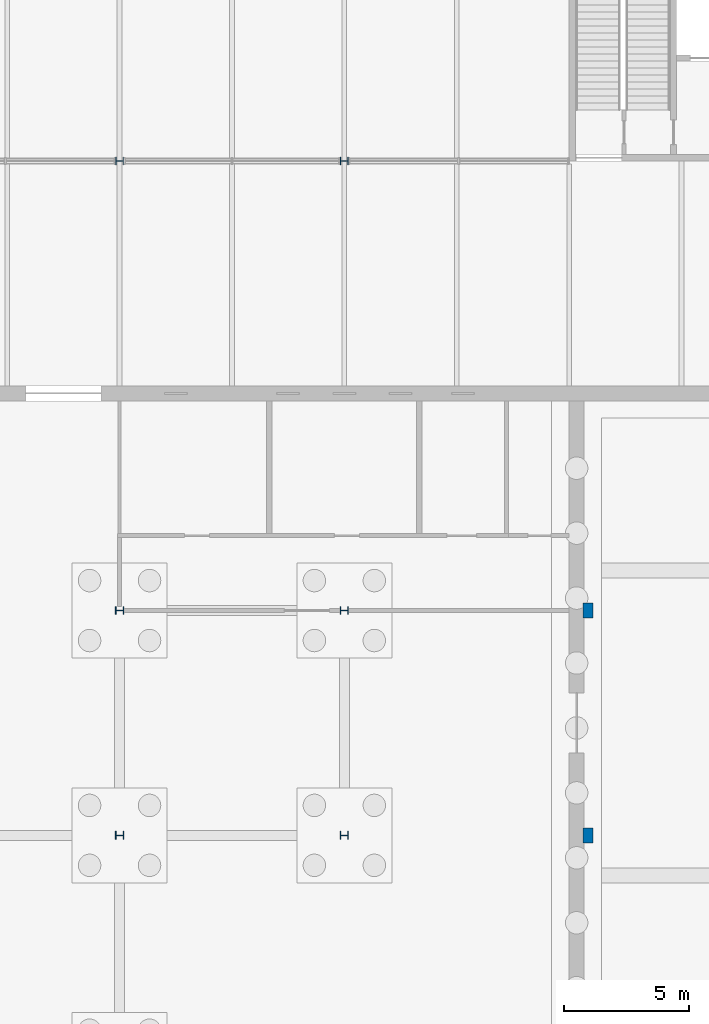
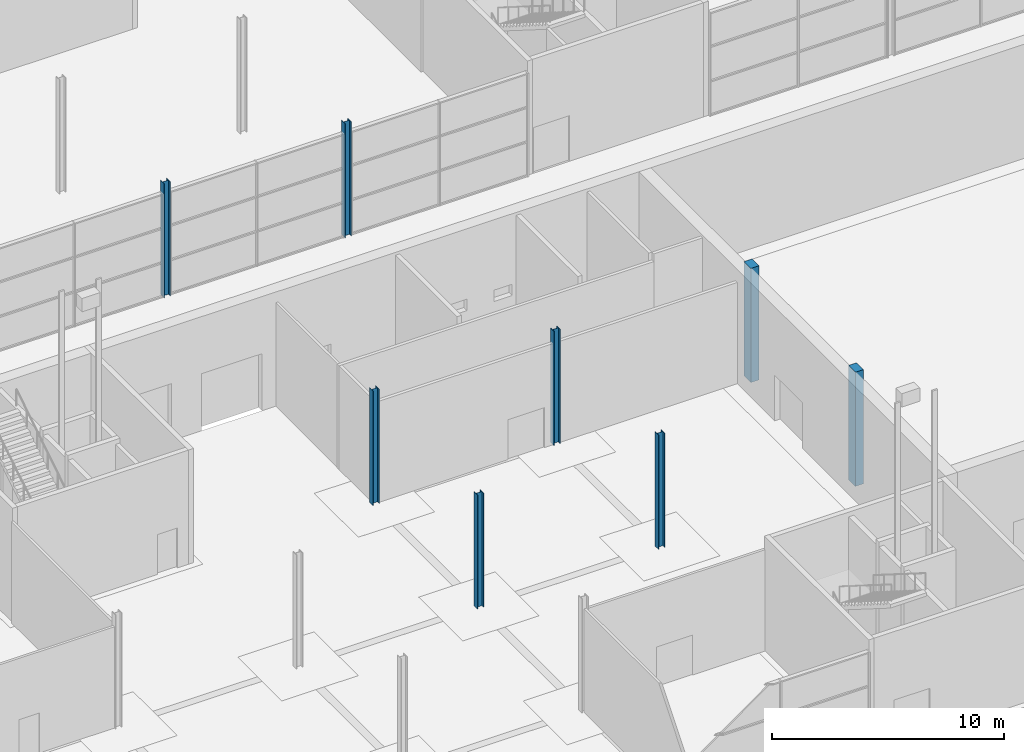
# One storey, part 20 of 97: 8 columns.
"""IFC4 building model written with IfcOpenShell, lengths in metres."""

from ifc_helpers import new_model, si_unit, direction, frame, origin, origin_2d, place, context, subcontext, project, spatial, rectangle, i_section, extrude, material, material_profile, profile_set, type_object, element, save


model = new_model("IFC4")

# Units and contexts
model_context = context("Model", 3, precision=1e-05, world=origin(), true_north=direction((0.0, 1.0)))
body_context = subcontext(model_context, "Body", "Model", "MODEL_VIEW")
ifc_project = project(units=[si_unit("LENGTHUNIT", "METRE"), si_unit("AREAUNIT", "SQUARE_METRE"), si_unit("VOLUMEUNIT", "CUBIC_METRE"), si_unit("PLANEANGLEUNIT", "RADIAN"), si_unit("MASSUNIT", "GRAM", prefix="KILO")], contexts=[model_context])

# Site, building, storey
site_placement = place(None, origin())
site = spatial("IfcSite", under=ifc_project, at=site_placement, CompositionType="ELEMENT")
building_placement = place(site_placement, origin())
building = spatial("IfcBuilding", under=site, at=building_placement, Name="Corbel Yard City Hall", CompositionType="ELEMENT")
storey_placement = place(building_placement, origin())
storey = spatial("IfcBuildingStorey", under=building, at=storey_placement, Name="L00", CompositionType="ELEMENT", Elevation=0.0)

# Columns
ifc_material_1 = material(Name="Concrete N50 (50 MPa)", Category="concrete")
ifc_material_profile_1 = material_profile(ifc_material_1, rectangle(XDim=0.60009765625, YDim=0.39990234375, at=origin_2d()), Name="600x400")
ifc_profile_set_1 = profile_set([ifc_material_profile_1], Name="Concrete N50 (50 MPa)")
column_type_1 = type_object("IfcColumnType", Name="Chamber pilaster RC 600X400", PredefinedType="PILASTER", material=ifc_profile_set_1)
for number, where, z_axis, x_axis, name in (
    (1, (117.75, 63.0, 0.0), (0.0, 0.0, 1.0), (0.0, 1.0, 0.0), "Chamber pilaster RC 600X400 RC1 L00"),
    (2, (117.75, 72.0, 0.0), (0.0, 0.0, 1.0), (0.0, 1.0, 0.0), "Chamber pilaster RC 600X400 RC1 L00"),
):
    element("IfcColumn", number, at=place(storey_placement, frame(where, z_axis=z_axis, x_axis=x_axis)), inside=storey, type_object=column_type_1, Name=name, PredefinedType="PILASTER", context=body_context, shape_type="SweptSolid", body=[
        extrude(rectangle(XDim=0.60009765625, YDim=0.39990234375, at=origin_2d()), origin(), (0.0, 0.0, 1.0), 6.0),
    ])
ifc_material_2 = material(Name="Steel Grade 300 (300 MPa yield)", Category="steel")
ifc_material_profile_2 = material_profile(ifc_material_2, i_section(OverallWidth=0.306884765625, OverallDepth=0.31494140625, WebThickness=0.011962890625, FlangeThickness=0.018798828125, at=origin_2d()), Name="310UC118")
ifc_profile_set_2 = profile_set([ifc_material_profile_2], Name="Steel Grade 300 (300 MPa yield)")
column_type_2 = type_object("IfcColumnType", Name="Column 310UC118", PredefinedType="COLUMN", material=ifc_profile_set_2)
for number, where, z_axis, x_axis, name in (
    (3, (99.0, 90.0, 0.0), (0.0, 0.0, 1.0), (0.0, 1.0, 0.0), "Column 310UC118 K/12 L00"),
    (4, (108.0, 90.0, 0.0), (0.0, 0.0, 1.0), (0.0, 1.0, 0.0), "Column 310UC118 K/13 L00"),
):
    element("IfcColumn", number, at=place(storey_placement, frame(where, z_axis=z_axis, x_axis=x_axis)), inside=storey, type_object=column_type_2, Name=name, PredefinedType="COLUMN", context=body_context, shape_type="SweptSolid", body=[
        extrude(i_section(OverallWidth=0.306884765625, OverallDepth=0.31494140625, WebThickness=0.011962890625, FlangeThickness=0.018798828125, at=origin_2d()), origin(), (0.0, 0.0, 1.0), 6.0),
    ])
ifc_material_profile_3 = material_profile(ifc_material_2, i_section(OverallWidth=0.31103515625, OverallDepth=0.326904296875, WebThickness=0.015625, FlangeThickness=0.02490234375, at=origin_2d()), Name="310UC158")
ifc_profile_set_3 = profile_set([ifc_material_profile_3], Name="Steel Grade 300 (300 MPa yield)")
column_type_3 = type_object("IfcColumnType", Name="Column 310UC158", PredefinedType="COLUMN", material=ifc_profile_set_3)
for number, where, z_axis, x_axis, name in (
    (5, (99.0, 63.0, 0.0), (0.0, 0.0, 1.0), (0.0, 1.0, 0.0), "Column 310UC158 H/12 L00"),
    (6, (99.0, 72.0, 0.0), (0.0, 0.0, 1.0), (0.0, 1.0, 0.0), "Column 310UC158 I/12 L00"),
    (7, (108.0, 63.0, 0.0), (0.0, 0.0, 1.0), (0.0, 1.0, 0.0), "Column 310UC158 H/13 L00"),
    (8, (108.0, 72.0, 0.0), (0.0, 0.0, 1.0), (0.0, 1.0, 0.0), "Column 310UC158 I/13 L00"),
):
    element("IfcColumn", number, at=place(storey_placement, frame(where, z_axis=z_axis, x_axis=x_axis)), inside=storey, type_object=column_type_3, Name=name, PredefinedType="COLUMN", context=body_context, shape_type="SweptSolid", body=[
        extrude(i_section(OverallWidth=0.31103515625, OverallDepth=0.326904296875, WebThickness=0.015625, FlangeThickness=0.02490234375, at=origin_2d()), origin(), (0.0, 0.0, 1.0), 6.0),
    ])

save(model, "model.ifc")
